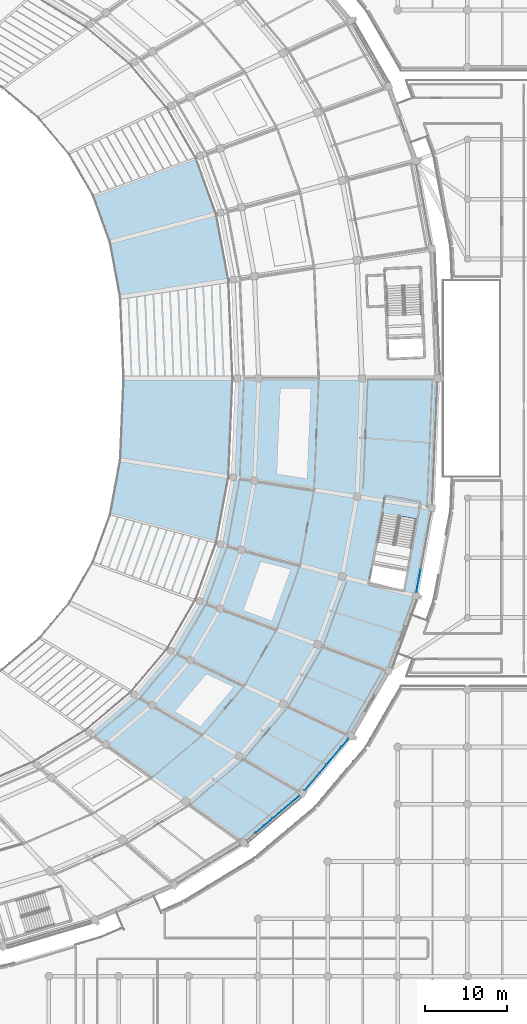
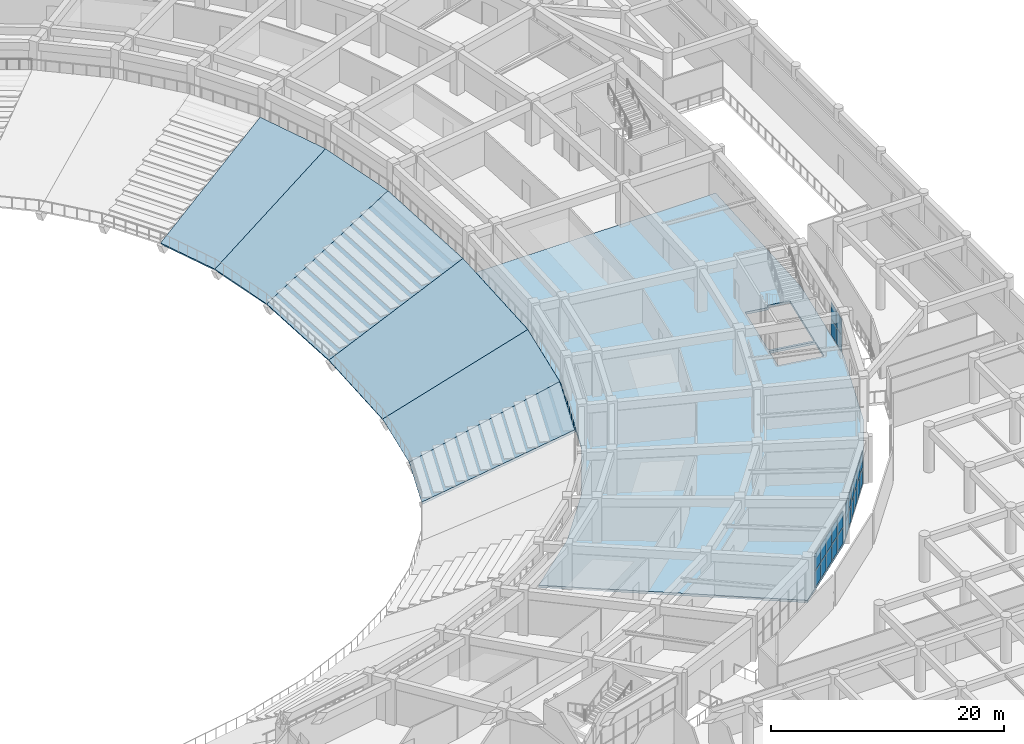
# One storey, part 85 of 152: 26 plates, 7 slabs, 3 elements without a shape of their own.
"""IFC4 building model written with IfcOpenShell, lengths in metres."""

from ifc_helpers import new_model, si_unit, direction, frame, origin, origin_2d, place, context, subcontext, project, spatial, polyline, rectangle, outline, extrude, material, layer, layer_set, type_object, element, aggregate, save


model = new_model("IFC4")

# Units and contexts
model_context = context("Model", 3, precision=1e-05, world=origin(), true_north=direction((0.0, 1.0)))
body_context = subcontext(model_context, "Body", "Model", "MODEL_VIEW")
ifc_project = project(units=[si_unit("LENGTHUNIT", "METRE"), si_unit("AREAUNIT", "SQUARE_METRE"), si_unit("VOLUMEUNIT", "CUBIC_METRE"), si_unit("PLANEANGLEUNIT", "RADIAN"), si_unit("MASSUNIT", "GRAM", prefix="KILO")], contexts=[model_context])

# Site, building, storey
site_placement = place(None, origin())
site = spatial("IfcSite", under=ifc_project, at=site_placement, CompositionType="ELEMENT")
building_placement = place(site_placement, origin())
building = spatial("IfcBuilding", under=site, at=building_placement, Name="Mphavela Belvedere Stadium", CompositionType="ELEMENT")
storey_placement = place(building_placement, frame((0.0, 0.0, 5.39990234375)))
storey = spatial("IfcBuildingStorey", under=building, at=storey_placement, Name="L01", CompositionType="ELEMENT", Elevation=5.39990234375)

# Curtain wall, plates
ifc_material_1 = material(Name="Anodised bronze unitised curtain wall framing")
ifc_layer_1 = layer(ifc_material_1, 0.18994140625)
ifc_layer_set_1 = layer_set([ifc_layer_1], Name="Anodised bronze unitised curtain wall framing")
curtain_wall_type_1 = type_object("IfcCurtainWallType", Name="CW-UNIT-03", PredefinedType="USERDEFINED", material=ifc_layer_set_1)
curtain_wall_1_placement = place(storey_placement, origin())
curtain_wall_1 = element("IfcCurtainWall", 1, at=curtain_wall_1_placement, inside=storey, type_object=curtain_wall_type_1, Name="Belvedere colonnade curtain wall L01-43", ObjectType="UNITISED CURTAIN WALL", PredefinedType="USERDEFINED")
ifc_material_2 = material(Name="Solar-control double glazing", Category="glass")
ifc_layer_2 = layer(ifc_material_2, 0.031982421875)
ifc_layer_set_2 = layer_set([ifc_layer_2], Name="Solar-control double glazing")
plate_type = type_object("IfcPlateType", Name="CWP-SOLAR-GLASS", PredefinedType="CURTAIN_PANEL", material=ifc_layer_set_2)
plate_1_placement = place(storey_placement, frame((196.113037109375, 31.937255859375, 0.06005859375), z_axis=(0.0, 0.0, 1.0), x_axis=(0.76425888519, 0.644909572272, 0.0)))
plate_1 = element("IfcPlate", 2, at=plate_1_placement, type_object=plate_type, Name="CW-03 panel 2.1", PredefinedType="CURTAIN_PANEL", context=body_context, shape_type="SweptSolid", body=[
    extrude(rectangle(XDim=1.3603515625, YDim=0.031982421875, at=origin_2d()), origin(), (0.0, 0.0, 1.0), 1.695068359375),
])
plate_2_placement = place(storey_placement, frame((196.113037109375, 31.937255859375, 1.81494140625), z_axis=(0.0, 0.0, 1.0), x_axis=(0.76425888519, 0.644909572272, 0.0)))
plate_2 = element("IfcPlate", 3, at=plate_2_placement, type_object=plate_type, Name="CW-03 panel 2.2", PredefinedType="CURTAIN_PANEL", context=body_context, shape_type="SweptSolid", body=[
    extrude(rectangle(XDim=1.3603515625, YDim=0.031982421875, at=origin_2d()), origin(), (0.0, 0.0, 1.0), 1.695068359375),
])
plate_3_placement = place(storey_placement, frame((197.202392578125, 32.8564453125, 0.06005859375), z_axis=(0.0, 0.0, 1.0), x_axis=(0.76425888519, 0.644909572272, 0.0)))
plate_3 = element("IfcPlate", 4, at=plate_3_placement, type_object=plate_type, Name="CW-03 panel 3.1", PredefinedType="CURTAIN_PANEL", context=body_context, shape_type="SweptSolid", body=[
    extrude(rectangle(XDim=1.3603515625, YDim=0.031982421875, at=origin_2d()), origin(), (0.0, 0.0, 1.0), 1.695068359375),
])
plate_4_placement = place(storey_placement, frame((197.202392578125, 32.8564453125, 1.81494140625), z_axis=(0.0, 0.0, 1.0), x_axis=(0.76425888519, 0.644909572272, 0.0)))
plate_4 = element("IfcPlate", 5, at=plate_4_placement, type_object=plate_type, Name="CW-03 panel 3.2", PredefinedType="CURTAIN_PANEL", context=body_context, shape_type="SweptSolid", body=[
    extrude(rectangle(XDim=1.3603515625, YDim=0.031982421875, at=origin_2d()), origin(), (0.0, 0.0, 1.0), 1.695068359375),
])
plate_5_placement = place(storey_placement, frame((198.29150390625, 33.775634765625, 0.06005859375), z_axis=(0.0, 0.0, 1.0), x_axis=(0.76425888519, 0.644909572272, 0.0)))
plate_5 = element("IfcPlate", 6, at=plate_5_placement, type_object=plate_type, Name="CW-03 panel 4.1", PredefinedType="CURTAIN_PANEL", context=body_context, shape_type="SweptSolid", body=[
    extrude(rectangle(XDim=1.3603515625, YDim=0.031982421875, at=origin_2d()), origin(), (0.0, 0.0, 1.0), 1.695068359375),
])
plate_6_placement = place(storey_placement, frame((198.29150390625, 33.775634765625, 1.81494140625), z_axis=(0.0, 0.0, 1.0), x_axis=(0.76425888519, 0.644909572272, 0.0)))
plate_6 = element("IfcPlate", 7, at=plate_6_placement, type_object=plate_type, Name="CW-03 panel 4.2", PredefinedType="CURTAIN_PANEL", context=body_context, shape_type="SweptSolid", body=[
    extrude(rectangle(XDim=1.3603515625, YDim=0.031982421875, at=origin_2d()), origin(), (0.0, 0.0, 1.0), 1.695068359375),
])
plate_7_placement = place(storey_placement, frame((199.380859375, 34.69482421875, 0.06005859375), z_axis=(0.0, 0.0, 1.0), x_axis=(0.76425888519, 0.644909572272, 0.0)))
plate_7 = element("IfcPlate", 8, at=plate_7_placement, type_object=plate_type, Name="CW-03 panel 5.1", PredefinedType="CURTAIN_PANEL", context=body_context, shape_type="SweptSolid", body=[
    extrude(rectangle(XDim=1.3603515625, YDim=0.031982421875, at=origin_2d()), origin(), (0.0, 0.0, 1.0), 1.695068359375),
])
plate_8_placement = place(storey_placement, frame((199.380859375, 34.69482421875, 1.81494140625), z_axis=(0.0, 0.0, 1.0), x_axis=(0.76425888519, 0.644909572272, 0.0)))
plate_8 = element("IfcPlate", 9, at=plate_8_placement, type_object=plate_type, Name="CW-03 panel 5.2", PredefinedType="CURTAIN_PANEL", context=body_context, shape_type="SweptSolid", body=[
    extrude(rectangle(XDim=1.3603515625, YDim=0.031982421875, at=origin_2d()), origin(), (0.0, 0.0, 1.0), 1.695068359375),
])
plate_9_placement = place(storey_placement, frame((200.4580078125, 35.603515625, 0.06005859375), z_axis=(0.0, 0.0, 1.0), x_axis=(0.76425888519, 0.644909572272, 0.0)))
plate_9 = element("IfcPlate", 10, at=plate_9_placement, type_object=plate_type, Name="CW-03 panel 6.1", PredefinedType="CURTAIN_PANEL", context=body_context, shape_type="SweptSolid", body=[
    extrude(rectangle(XDim=1.327880859375, YDim=0.031982421875, at=origin_2d()), origin(), (0.0, 0.0, 1.0), 1.695068359375),
])
plate_10_placement = place(storey_placement, frame((200.4580078125, 35.603515625, 1.81494140625), z_axis=(0.0, 0.0, 1.0), x_axis=(0.76425888519, 0.644909572272, 0.0)))
plate_10 = element("IfcPlate", 11, at=plate_10_placement, type_object=plate_type, Name="CW-03 panel 6.2", PredefinedType="CURTAIN_PANEL", context=body_context, shape_type="SweptSolid", body=[
    extrude(rectangle(XDim=1.327880859375, YDim=0.031982421875, at=origin_2d()), origin(), (0.0, 0.0, 1.0), 1.695068359375),
])
aggregate(curtain_wall_1, [plate_1, plate_2, plate_3, plate_4, plate_5, plate_6, plate_7, plate_8, plate_9, plate_10])

ifc_material_3 = material(Name="Anodised bronze unitised curtain wall framing")
ifc_layer_3 = layer(ifc_material_3, 0.195068359375)
ifc_layer_set_3 = layer_set([ifc_layer_3], Name="Anodised bronze unitised curtain wall framing")
curtain_wall_type_2 = type_object("IfcCurtainWallType", Name="CW-UNIT-04", PredefinedType="USERDEFINED", material=ifc_layer_set_3)
curtain_wall_2_placement = place(storey_placement, origin())
curtain_wall_2 = element("IfcCurtainWall", 12, at=curtain_wall_2_placement, inside=storey, type_object=curtain_wall_type_2, Name="Belvedere colonnade curtain wall L01-44", ObjectType="UNITISED CURTAIN WALL", PredefinedType="USERDEFINED")
plate_11_placement = place(storey_placement, frame((202.068115234375, 37.2109375, 0.06005859375), z_axis=(0.0, 0.0, 1.0), x_axis=(0.645173320737, 0.764036246659, 0.0)))
plate_11 = element("IfcPlate", 13, at=plate_11_placement, type_object=plate_type, Name="CW-04 panel 1.1", PredefinedType="CURTAIN_PANEL", context=body_context, shape_type="SweptSolid", body=[
    extrude(rectangle(XDim=1.28662109375, YDim=0.031982421875, at=origin_2d()), origin(), (0.0, 0.0, 1.0), 1.695068359375),
])
plate_12_placement = place(storey_placement, frame((202.068115234375, 37.2109375, 1.81494140625), z_axis=(0.0, 0.0, 1.0), x_axis=(0.645173320737, 0.764036246659, 0.0)))
plate_12 = element("IfcPlate", 14, at=plate_12_placement, type_object=plate_type, Name="CW-04 panel 1.2", PredefinedType="CURTAIN_PANEL", context=body_context, shape_type="SweptSolid", body=[
    extrude(rectangle(XDim=1.28662109375, YDim=0.031982421875, at=origin_2d()), origin(), (0.0, 0.0, 1.0), 1.695068359375),
])
plate_13_placement = place(storey_placement, frame((202.95068359375, 38.256103515625, 0.06005859375), z_axis=(0.0, 0.0, 1.0), x_axis=(0.645173320737, 0.764036246659, 0.0)))
plate_13 = element("IfcPlate", 15, at=plate_13_placement, type_object=plate_type, Name="CW-04 panel 2.1", PredefinedType="CURTAIN_PANEL", context=body_context, shape_type="SweptSolid", body=[
    extrude(rectangle(XDim=1.3193359375, YDim=0.031982421875, at=origin_2d()), origin(), (0.0, 0.0, 1.0), 1.695068359375),
])
plate_14_placement = place(storey_placement, frame((202.95068359375, 38.256103515625, 1.81494140625), z_axis=(0.0, 0.0, 1.0), x_axis=(0.645173320737, 0.764036246659, 0.0)))
plate_14 = element("IfcPlate", 16, at=plate_14_placement, type_object=plate_type, Name="CW-04 panel 2.2", PredefinedType="CURTAIN_PANEL", context=body_context, shape_type="SweptSolid", body=[
    extrude(rectangle(XDim=1.3193359375, YDim=0.031982421875, at=origin_2d()), origin(), (0.0, 0.0, 1.0), 1.695068359375),
])
plate_15_placement = place(storey_placement, frame((203.84375, 39.313720703125, 0.06005859375), z_axis=(0.0, 0.0, 1.0), x_axis=(0.645173320737, 0.764036246659, 0.0)))
plate_15 = element("IfcPlate", 17, at=plate_15_placement, type_object=plate_type, Name="CW-04 panel 3.1", PredefinedType="CURTAIN_PANEL", context=body_context, shape_type="SweptSolid", body=[
    extrude(rectangle(XDim=1.3193359375, YDim=0.031982421875, at=origin_2d()), origin(), (0.0, 0.0, 1.0), 1.695068359375),
])
plate_16_placement = place(storey_placement, frame((203.84375, 39.313720703125, 1.81494140625), z_axis=(0.0, 0.0, 1.0), x_axis=(0.645173320737, 0.764036246659, 0.0)))
plate_16 = element("IfcPlate", 18, at=plate_16_placement, type_object=plate_type, Name="CW-04 panel 3.2", PredefinedType="CURTAIN_PANEL", context=body_context, shape_type="SweptSolid", body=[
    extrude(rectangle(XDim=1.3193359375, YDim=0.031982421875, at=origin_2d()), origin(), (0.0, 0.0, 1.0), 1.695068359375),
])
plate_17_placement = place(storey_placement, frame((204.73681640625, 40.371337890625, 0.06005859375), z_axis=(0.0, 0.0, 1.0), x_axis=(0.645173320737, 0.764036246659, 0.0)))
plate_17 = element("IfcPlate", 19, at=plate_17_placement, type_object=plate_type, Name="CW-04 panel 4.1", PredefinedType="CURTAIN_PANEL", context=body_context, shape_type="SweptSolid", body=[
    extrude(rectangle(XDim=1.3193359375, YDim=0.031982421875, at=origin_2d()), origin(), (0.0, 0.0, 1.0), 1.695068359375),
])
plate_18_placement = place(storey_placement, frame((204.73681640625, 40.371337890625, 1.81494140625), z_axis=(0.0, 0.0, 1.0), x_axis=(0.645173320737, 0.764036246659, 0.0)))
plate_18 = element("IfcPlate", 20, at=plate_18_placement, type_object=plate_type, Name="CW-04 panel 4.2", PredefinedType="CURTAIN_PANEL", context=body_context, shape_type="SweptSolid", body=[
    extrude(rectangle(XDim=1.3193359375, YDim=0.031982421875, at=origin_2d()), origin(), (0.0, 0.0, 1.0), 1.695068359375),
])
plate_19_placement = place(storey_placement, frame((205.6298828125, 41.428955078125, 0.06005859375), z_axis=(0.0, 0.0, 1.0), x_axis=(0.645173320737, 0.764036246659, 0.0)))
plate_19 = element("IfcPlate", 21, at=plate_19_placement, type_object=plate_type, Name="CW-04 panel 5.1", PredefinedType="CURTAIN_PANEL", context=body_context, shape_type="SweptSolid", body=[
    extrude(rectangle(XDim=1.3193359375, YDim=0.031982421875, at=origin_2d()), origin(), (0.0, 0.0, 1.0), 1.695068359375),
])
plate_20_placement = place(storey_placement, frame((205.6298828125, 41.428955078125, 1.81494140625), z_axis=(0.0, 0.0, 1.0), x_axis=(0.645173320737, 0.764036246659, 0.0)))
plate_20 = element("IfcPlate", 22, at=plate_20_placement, type_object=plate_type, Name="CW-04 panel 5.2", PredefinedType="CURTAIN_PANEL", context=body_context, shape_type="SweptSolid", body=[
    extrude(rectangle(XDim=1.3193359375, YDim=0.031982421875, at=origin_2d()), origin(), (0.0, 0.0, 1.0), 1.695068359375),
])
plate_21_placement = place(storey_placement, frame((206.5126953125, 42.47412109375, 0.06005859375), z_axis=(0.0, 0.0, 1.0), x_axis=(0.645173320737, 0.764036246659, 0.0)))
plate_21 = element("IfcPlate", 23, at=plate_21_placement, type_object=plate_type, Name="CW-04 panel 6.1", PredefinedType="CURTAIN_PANEL", context=body_context, shape_type="SweptSolid", body=[
    extrude(rectangle(XDim=1.28662109375, YDim=0.031982421875, at=origin_2d()), origin(), (0.0, 0.0, 1.0), 1.695068359375),
])
plate_22_placement = place(storey_placement, frame((206.5126953125, 42.47412109375, 1.81494140625), z_axis=(0.0, 0.0, 1.0), x_axis=(0.645173320737, 0.764036246659, 0.0)))
plate_22 = element("IfcPlate", 24, at=plate_22_placement, type_object=plate_type, Name="CW-04 panel 6.2", PredefinedType="CURTAIN_PANEL", context=body_context, shape_type="SweptSolid", body=[
    extrude(rectangle(XDim=1.28662109375, YDim=0.031982421875, at=origin_2d()), origin(), (0.0, 0.0, 1.0), 1.695068359375),
])
aggregate(curtain_wall_2, [plate_11, plate_12, plate_13, plate_14, plate_15, plate_16, plate_17, plate_18, plate_19, plate_20, plate_21, plate_22])

ifc_material_4 = material(Name="Anodised bronze unitised curtain wall framing")
ifc_layer_4 = layer(ifc_material_4, 0.199951171875)
ifc_layer_set_4 = layer_set([ifc_layer_4], Name="Anodised bronze unitised curtain wall framing")
curtain_wall_type_3 = type_object("IfcCurtainWallType", Name="CW-UNIT-05", PredefinedType="USERDEFINED", material=ifc_layer_set_4)
curtain_wall_3_placement = place(storey_placement, origin())
curtain_wall_3 = element("IfcCurtainWall", 25, at=curtain_wall_3_placement, inside=storey, type_object=curtain_wall_type_3, Name="Belvedere colonnade curtain wall L01-47", ObjectType="UNITISED CURTAIN WALL", PredefinedType="USERDEFINED")
plate_23_placement = place(storey_placement, frame((215.3759765625, 61.575439453125, 0.06005859375), z_axis=(0.0, 0.0, 1.0), x_axis=(0.182619524814, 0.983183659932, 0.0)))
plate_23 = element("IfcPlate", 26, at=plate_23_placement, type_object=plate_type, Name="CW-05 panel 1.1", PredefinedType="CURTAIN_PANEL", context=body_context, shape_type="SweptSolid", body=[
    extrude(rectangle(XDim=1.3388671875, YDim=0.031982421875, at=origin_2d()), origin(), (0.0, 0.0, 1.0), 1.695068359375),
])
plate_24_placement = place(storey_placement, frame((215.3759765625, 61.575439453125, 1.81494140625), z_axis=(0.0, 0.0, 1.0), x_axis=(0.182619524814, 0.983183659932, 0.0)))
plate_24 = element("IfcPlate", 27, at=plate_24_placement, type_object=plate_type, Name="CW-05 panel 1.2", PredefinedType="CURTAIN_PANEL", context=body_context, shape_type="SweptSolid", body=[
    extrude(rectangle(XDim=1.3388671875, YDim=0.031982421875, at=origin_2d()), origin(), (0.0, 0.0, 1.0), 1.695068359375),
])
plate_25_placement = place(storey_placement, frame((215.63525390625, 62.9716796875, 0.06005859375), z_axis=(0.0, 0.0, 1.0), x_axis=(0.182619524814, 0.983183659932, 0.0)))
plate_25 = element("IfcPlate", 28, at=plate_25_placement, type_object=plate_type, Name="CW-05 panel 2.1", PredefinedType="CURTAIN_PANEL", context=body_context, shape_type="SweptSolid", body=[
    extrude(rectangle(XDim=1.371337890625, YDim=0.031982421875, at=origin_2d()), origin(), (0.0, 0.0, 1.0), 1.695068359375),
])
plate_26_placement = place(storey_placement, frame((215.63525390625, 62.9716796875, 1.81494140625), z_axis=(0.0, 0.0, 1.0), x_axis=(0.182619524814, 0.983183659932, 0.0)))
plate_26 = element("IfcPlate", 29, at=plate_26_placement, type_object=plate_type, Name="CW-05 panel 2.2", PredefinedType="CURTAIN_PANEL", context=body_context, shape_type="SweptSolid", body=[
    extrude(rectangle(XDim=1.371337890625, YDim=0.031982421875, at=origin_2d()), origin(), (0.0, 0.0, 1.0), 1.695068359375),
])
aggregate(curtain_wall_3, [plate_23, plate_24, plate_25, plate_26])

# Slabs
ifc_material_5 = material(Name="Concrete C40/50", Category="concrete")
ifc_layer_5 = layer(ifc_material_5, 0.25)
ifc_layer_set_5 = layer_set([ifc_layer_5], Name="Concrete C40/50")
slab_type_1 = type_object("IfcSlabType", Name="SLB-CONCOURSE-250", PredefinedType="FLOOR", material=ifc_layer_set_5)
slab_1_placement = place(storey_placement, frame((0.0, 0.0, -0.25)))
element("IfcSlab", 30, at=slab_1_placement, inside=storey, type_object=slab_type_1, Name="Concourse sector slab L01-S8", PredefinedType="FLOOR", context=body_context, shape_type="SweptSolid", body=[
    extrude(outline(polyline([(217.820068359375, 87.0), (217.155517578125, 71.155029296875), (215.16455078125, 60.4375), (211.856201171875, 51.317626953125), (207.242431640625, 43.33837890625), (201.33837890625, 36.346435546875), (194.155517578125, 30.285400390625), (175.33740234375, 43.7685546875), (180.8125, 48.388671875), (185.31298828125, 53.718505859375), (188.829833984375, 59.80078125), (191.351806640625, 66.75244140625), (192.869384765625, 74.921875), (193.3759765625, 87.0), (217.820068359375, 87.0)]), holes=[polyline([(214.12451171875, 63.646728515625), (215.27392578125, 69.8369140625), (213.214111328125, 70.219482421875), (213.15283203125, 69.88916015625), (211.093017578125, 70.271484375), (210.0048828125, 64.41162109375), (214.12451171875, 63.646728515625)]), polyline([(213.671875, 61.20849609375), (214.08447265625, 63.430419921875), (209.96484375, 64.1953125), (209.55224609375, 61.973388671875), (213.671875, 61.20849609375)])]), origin(), (0.0, 0.0, 1.0), 0.25),
])
ifc_material_6 = material(Name="Precast concrete C45/55", Category="concrete")
ifc_layer_6 = layer(ifc_material_6, 0.25)
ifc_layer_set_6 = layer_set([ifc_layer_6], Name="Precast concrete C45/55")
slab_type_2 = type_object("IfcSlabType", Name="SLB-TIER-LOWER", PredefinedType="USERDEFINED", material=ifc_layer_set_6)
slab_2_placement = place(storey_placement, frame((179.5048828125, 87.0, -4.099853515625), z_axis=(-0.411440307407, -0.017250993072, 0.911273436834), x_axis=(-0.041888388665, 0.999122296265, 1.404959e-06)))
element("IfcSlab", 31, at=slab_2_placement, inside=storey, type_object=slab_type_2, Name="Lower seating tier slab L01-01", ObjectType="SEATING TIER", PredefinedType="USERDEFINED", context=body_context, shape_type="SweptSolid", body=[
    extrude(outline(polyline([(0.0, 0.0), (9.949161839394826, 1.1102230246251565e-16), (11.442166793087548, -14.570076938563929), (-0.5566489852422549, -14.570151819246764), (0.0, 0.0)])), origin(), (0.0, 0.0, -1.0), 0.25),
])
slab_3_placement = place(storey_placement, frame((179.088134765625, 96.9404296875, -4.099853515625), z_axis=(-0.402916392362, -0.074845519853, 0.912171326519), x_axis=(-0.182635085802, 0.983180769459, 6.479e-09)))
element("IfcSlab", 32, at=slab_3_placement, inside=storey, type_object=slab_type_2, Name="Lower seating tier slab L01-02", ObjectType="SEATING TIER", PredefinedType="USERDEFINED", context=body_context, shape_type="SweptSolid", body=[
    extrude(outline(polyline([(0.0, 0.0), (6.838902019197954, 2.220446049250313e-16), (7.849907898004117, -14.640964385599526), (-0.3979455534072106, -14.640964624101178), (0.0, 0.0)])), origin(), (0.0, 0.0, -1.0), 0.25),
])
slab_4_placement = place(storey_placement, frame((177.839111328125, 103.664306640625, -4.099853515625), z_axis=(-0.385588202094, -0.139889096454, 0.91200481309), x_axis=(-0.341052005583, 0.94004442952, -4.017283e-06)))
element("IfcSlab", 33, at=slab_4_placement, inside=storey, type_object=slab_type_2, Name="Lower seating tier slab L01-03", ObjectType="SEATING TIER", PredefinedType="USERDEFINED", context=body_context, shape_type="SweptSolid", body=[
    extrude(outline(polyline([(0.0, 0.0), (6.086090164267456, -4.440892098500626e-16), (6.151983464714673, -14.627802554901951), (-1.1879437521647533, -14.627671060983982), (0.0, 0.0)])), origin(), (0.0, 0.0, -1.0), 0.25),
])
slab_5_placement = place(storey_placement, frame((175.763427734375, 64.614501953125, -4.099853515625), z_axis=(-0.385588202094, 0.139889096454, 0.91200481309), x_axis=(0.341052005583, 0.94004442952, 4.017283e-06)))
element("IfcSlab", 34, at=slab_5_placement, inside=storey, type_object=slab_type_2, Name="Lower seating tier slab L01-46", ObjectType="SEATING TIER", PredefinedType="USERDEFINED", context=body_context, shape_type="SweptSolid", body=[
    extrude(outline(polyline([(0.0, 0.0), (6.086090164267456, 4.440892098500626e-16), (7.274033916432209, -14.627671060983982), (-0.06589330044721721, -14.627802554901951), (0.0, 0.0)])), origin(), (0.0, 0.0, -1.0), 0.25),
])
slab_6_placement = place(storey_placement, frame((177.839111328125, 70.335693359375, -4.099853515625), z_axis=(-0.402916392362, 0.074845519853, 0.912171326519), x_axis=(0.182635085802, 0.983180769459, -6.479e-09)))
element("IfcSlab", 35, at=slab_6_placement, inside=storey, type_object=slab_type_2, Name="Lower seating tier slab L01-47", ObjectType="SEATING TIER", PredefinedType="USERDEFINED", context=body_context, shape_type="SweptSolid", body=[
    extrude(outline(polyline([(0.0, 0.0), (6.838902019197954, -2.220446049250313e-16), (7.236847572605164, -14.640964624101178), (-1.0110058788061629, -14.640964385599526), (0.0, 0.0)])), origin(), (0.0, 0.0, -1.0), 0.25),
])
slab_7_placement = place(storey_placement, frame((179.088134765625, 77.0595703125, -4.099853515625), z_axis=(-0.411440307407, 0.017250993072, 0.911273436834), x_axis=(0.041888388665, 0.999122296265, -1.404959e-06)))
element("IfcSlab", 36, at=slab_7_placement, inside=storey, type_object=slab_type_2, Name="Lower seating tier slab L01-48", ObjectType="SEATING TIER", PredefinedType="USERDEFINED", context=body_context, shape_type="SweptSolid", body=[
    extrude(outline(polyline([(0.0, 0.0), (9.949161839394826, -1.1102230246251565e-16), (10.50581082463708, -14.570151819246764), (-1.4930049536927223, -14.570076938563929), (0.0, 0.0)])), origin(), (0.0, 0.0, -1.0), 0.25),
])

save(model, "model.ifc")
